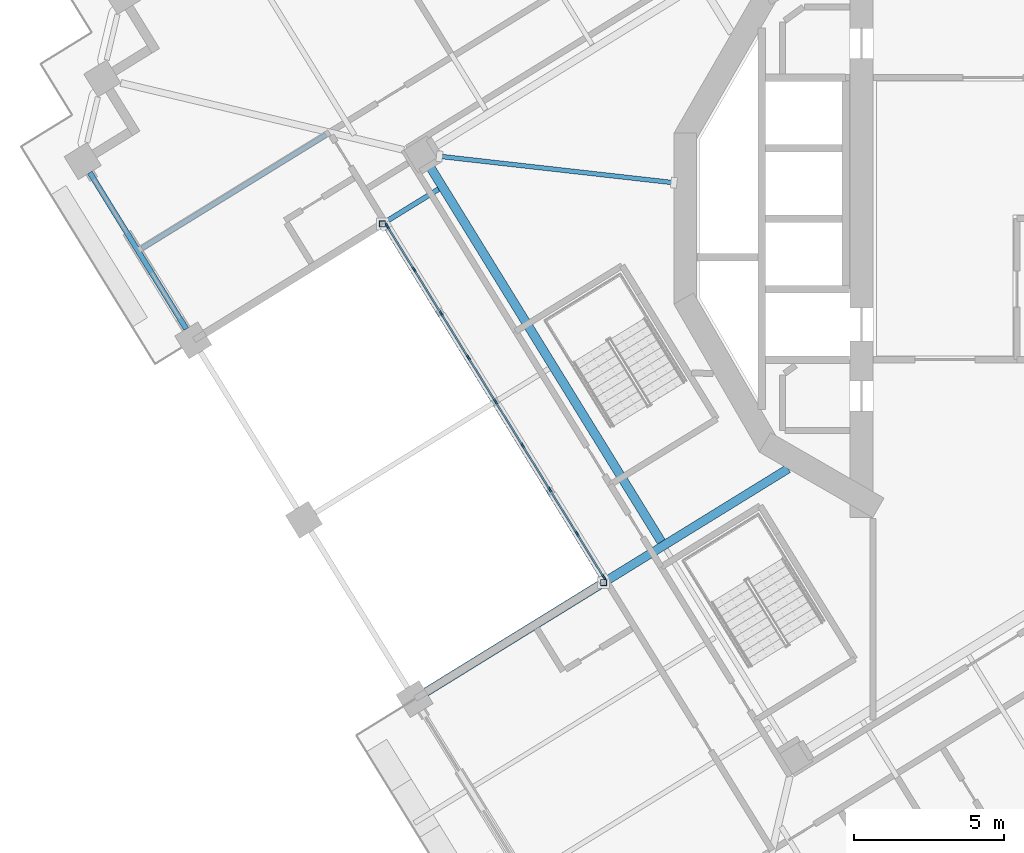
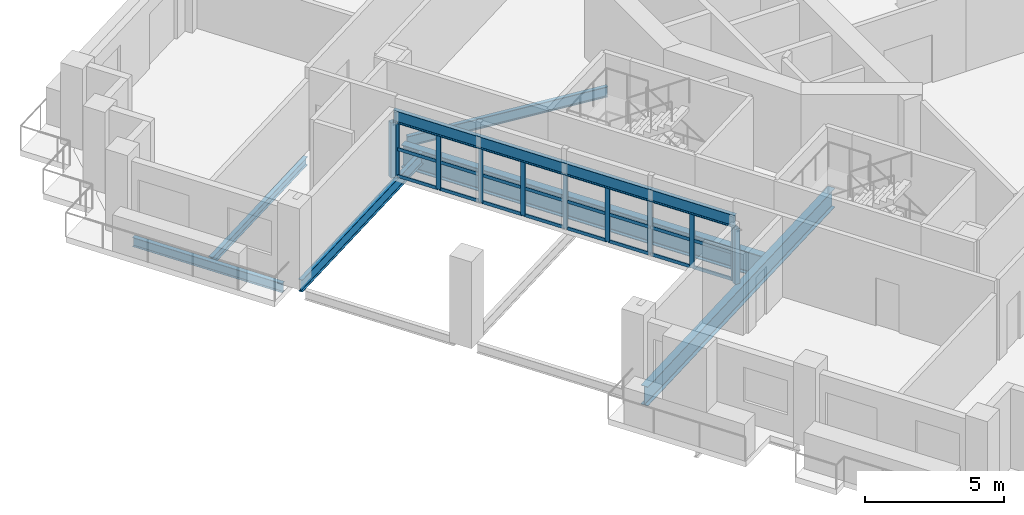
# One storey, part 2 of 20: 35 members, 7 beams, 1 element without a shape of its own.
"""IFC4 building model written with IfcOpenShell, lengths in metres."""

import ifcopenshell
import ifcopenshell.guid

model = None  # the IFC model being written
_history = None  # IfcOwnerHistory: only IFC2X3 demands one
_inside = {}  # id of a spatial element -> (the spatial element, [elements in it])
_under = {}  # id of a project, library or spatial element -> (it, [spatial elements below it])
_declared = {}  # id of a project -> (the project, [libraries it declares])
_typed = {}  # id of a type object -> (the type object, [elements of that type])
_made_of = {}  # id of a material, layer set ... -> (it, [elements and type objects made of it])


def new_model(schema):
    """Start an empty IFC model of exactly this schema.

    Asked for "IFC4X3", IfcOpenShell would pick the latest addendum, in which some entities
    have other attributes; the version numbers below select the first issue.
    IFC2X3 requires an IfcOwnerHistory on every rooted entity: one is made here for all.
    """
    global model, _history
    if schema == "IFC4X3":
        model = ifcopenshell.file(schema_version=(4, 3, 0, 0))
    else:
        model = ifcopenshell.file(schema=schema)
    _inside.clear()
    _under.clear()
    _declared.clear()
    _typed.clear()
    _made_of.clear()
    _history = None
    if model.schema == "IFC2X3":
        org = make("IfcOrganization", Name="unknown")
        user = make(
            "IfcPersonAndOrganization",
            ThePerson=make("IfcPerson", FamilyName="unknown"),
            TheOrganization=org,
        )
        app = make(
            "IfcApplication",
            ApplicationDeveloper=org,
            Version="unknown",
            ApplicationFullName="unknown",
            ApplicationIdentifier="unknown",
        )
        _history = make(
            "IfcOwnerHistory",
            OwningUser=user,
            OwningApplication=app,
            ChangeAction="ADDED",
            CreationDate=0,
        )
    return model


def make(cls, **values):
    """One entity of the class cls with the attributes given. An attribute that is None is left unset."""
    return model.create_entity(
        cls, **{name: value for name, value in values.items() if value is not None}
    )


def rooted(cls, **values):
    """An entity with a GlobalId (a new one), such as an element, a storey or a relation."""
    return make(cls, GlobalId=ifcopenshell.guid.new(), OwnerHistory=_history, **values)


def si_unit(unit_type, name, prefix=None):
    """IfcSIUnit, for example si_unit("LENGTHUNIT", "METRE", prefix="MILLI")."""
    return make("IfcSIUnit", UnitType=unit_type, Prefix=prefix, Name=name)


def assignment(units):
    """IfcUnitAssignment: the units of a project."""
    return None if units is None else make("IfcUnitAssignment", Units=units)


def point(xyz):
    """IfcCartesianPoint."""
    return None if xyz is None else make("IfcCartesianPoint", Coordinates=xyz)


def direction(xyz):
    """IfcDirection."""
    return None if xyz is None else make("IfcDirection", DirectionRatios=xyz)


def frame(location, z_axis=None, x_axis=None):
    """IfcAxis2Placement3D, a coordinate frame: its origin and axes. An axis left out is left unset."""
    return make(
        "IfcAxis2Placement3D",
        Location=point(location),
        Axis=direction(z_axis),
        RefDirection=direction(x_axis),
    )


def frame_2d(location, x_axis=None):
    """IfcAxis2Placement2D, a coordinate frame in the plane: its origin and x axis."""
    return make(
        "IfcAxis2Placement2D", Location=point(location), RefDirection=direction(x_axis)
    )


def origin():
    """The frame at (0, 0, 0) with its axes left unset."""
    return frame((0.0, 0.0, 0.0))


def origin_2d():
    """The frame at (0, 0) in the plane with its x axis left unset."""
    return frame_2d((0.0, 0.0))


def place(relative_to, where):
    """IfcLocalPlacement: puts the frame where relative to a parent placement (None: the world)."""
    return make(
        "IfcLocalPlacement", PlacementRelTo=relative_to, RelativePlacement=where
    )


def context(
    kind, dimensions, precision=None, world=None, true_north=None, identifier=None
):
    """IfcGeometricRepresentationContext, for example the 3D "Model" context."""
    return make(
        "IfcGeometricRepresentationContext",
        ContextIdentifier=identifier,
        ContextType=kind,
        CoordinateSpaceDimension=dimensions,
        Precision=precision,
        WorldCoordinateSystem=world,
        TrueNorth=true_north,
    )


def subcontext(parent, identifier, kind, view, scale=None):
    """IfcGeometricRepresentationSubContext, for example "Body" below "Model"."""
    return make(
        "IfcGeometricRepresentationSubContext",
        ContextIdentifier=identifier,
        ContextType=kind,
        ParentContext=parent,
        TargetScale=scale,
        TargetView=view,
    )


def project(units=None, contexts=None):
    """IfcProject with its units and contexts."""
    return rooted(
        "IfcProject",
        Name="project",
        RepresentationContexts=contexts,
        UnitsInContext=assignment(units),
    )


def spatial(cls, under=None, at=None, **own):
    """A site, building, storey or space (cls), placed at a placement, below another one or the project."""
    s = rooted(cls, ObjectPlacement=at, **own)
    if under is not None:
        _under.setdefault(under.id(), (under, []))[1].append(s)
    return s


def profile(cls, at=None, kind="AREA", **sizes):
    """A parametric profile (cls). Its sizes go by their IFC names, for example OverallWidth=200.0."""
    return make(cls, ProfileType=kind, Position=at, **sizes)


def rectangle(**sizes):
    """IfcRectangleProfileDef."""
    return profile("IfcRectangleProfileDef", **sizes)


def hollow_rectangle(**sizes):
    """IfcRectangleHollowProfileDef."""
    return profile("IfcRectangleHollowProfileDef", **sizes)


def i_section(**sizes):
    """IfcIShapeProfileDef."""
    return profile("IfcIShapeProfileDef", **sizes)


def extrude(swept, where, along, depth):
    """IfcExtrudedAreaSolid: the profile swept, set in the frame where, extruded along a direction by depth."""
    return make(
        "IfcExtrudedAreaSolid",
        SweptArea=swept,
        Position=where,
        ExtrudedDirection=direction(along),
        Depth=depth,
    )


def shape(context_of_items, identifier, shape_type, items):
    """IfcShapeRepresentation: the items that make up one representation, for example the "Body"."""
    return make(
        "IfcShapeRepresentation",
        ContextOfItems=context_of_items,
        RepresentationIdentifier=identifier,
        RepresentationType=shape_type,
        Items=items,
    )


def material(Name=None, Category=None):
    """IfcMaterial."""
    return make("IfcMaterial", Name=Name, Category=Category)


def material_profile(
    of_material, cross_section, Name=None, Category=None, Priority=None
):
    """IfcMaterialProfile: a cross section and its material."""
    return make(
        "IfcMaterialProfile",
        Name=Name,
        Material=of_material,
        Profile=cross_section,
        Priority=Priority,
        Category=Category,
    )


def profile_set(profiles, Name=None, composite=None):
    """IfcMaterialProfileSet."""
    return make(
        "IfcMaterialProfileSet",
        Name=Name,
        MaterialProfiles=profiles,
        CompositeProfile=composite,
    )


def made_of(thing, what):
    """Note that an element or type object is made of a material, layer set ...; save() writes the relation."""
    if what is not None:
        _made_of.setdefault(what.id(), (what, []))[1].append(thing)
    return thing


def type_object(cls, material=None, **own):
    """A type object (cls), such as IfcWallType, which elements share."""
    return made_of(rooted(cls, **own), material)


def element(
    cls,
    number,
    at=None,
    inside=None,
    cuts=None,
    type_object=None,
    material=None,
    context=None,
    identifier="Body",
    shape_type=None,
    held_by="IfcProductDefinitionShape",
    body=None,
    shapes=None,
    **own,
):
    """One element of the class cls, such as IfcWall. Its Tag is "e" and its number.

    at: its placement. inside: the storey or other place that contains it. cuts: it is an
    opening in that element (IfcRelVoidsElement). A single representation is given by context,
    identifier, shape_type and body (its items); several are given by shapes. held_by: the class
    of the entity that holds the representations. save() writes the other relations.
    """
    e = rooted(cls, Tag="e%d" % number, ObjectPlacement=at, **own)
    if body is not None:
        shapes = [shape(context, identifier, shape_type, body)]
    if shapes is not None:
        e.Representation = make(held_by, Representations=shapes)
    if inside is not None:
        _inside.setdefault(inside.id(), (inside, []))[1].append(e)
    if cuts is not None:
        rooted(
            "IfcRelVoidsElement", RelatingBuildingElement=cuts, RelatedOpeningElement=e
        )
    if type_object is not None:
        _typed.setdefault(type_object.id(), (type_object, []))[1].append(e)
    return made_of(e, material)


def aggregate(whole, parts):
    """IfcRelAggregates: a whole, such as a stair, and the parts it consists of."""
    return rooted("IfcRelAggregates", RelatingObject=whole, RelatedObjects=parts)


def save(model, path):
    """Write the relations noted so far, then the file.

    IfcRelAggregates (storeys below a building ...), IfcRelContainedInSpatialStructure (elements
    in a storey), IfcRelDefinesByType, IfcRelAssociatesMaterial and IfcRelDeclares: one each for
    every whole, place, type object, material and project.
    """
    for whole, parts in _under.values():
        aggregate(whole, parts)
    for where, things in _inside.values():
        rooted(
            "IfcRelContainedInSpatialStructure",
            RelatedElements=things,
            RelatingStructure=where,
        )
    for kind, things in _typed.values():
        rooted("IfcRelDefinesByType", RelatedObjects=things, RelatingType=kind)
    for what, things in _made_of.values():
        rooted("IfcRelAssociatesMaterial", RelatedObjects=things, RelatingMaterial=what)
    for by, libraries in _declared.values():
        rooted("IfcRelDeclares", RelatingContext=by, RelatedDefinitions=libraries)
    model.write(path)


model = new_model("IFC4")

# Units and contexts
model_context = context("Model", 3, precision=1e-05, world=origin(), true_north=direction((0.0, 1.0)))
body_context = subcontext(model_context, "Body", "Model", "MODEL_VIEW")
ifc_project = project(units=[si_unit("LENGTHUNIT", "METRE"), si_unit("AREAUNIT", "SQUARE_METRE"), si_unit("VOLUMEUNIT", "CUBIC_METRE"), si_unit("PLANEANGLEUNIT", "RADIAN"), si_unit("MASSUNIT", "GRAM", prefix="KILO")], contexts=[model_context])

# Site, building, storey
site_placement = place(None, origin())
site = spatial("IfcSite", under=ifc_project, at=site_placement, CompositionType="ELEMENT")
building_placement = place(site_placement, origin())
building = spatial("IfcBuilding", under=site, at=building_placement, Name="Cantera Rosa Tower", CompositionType="ELEMENT")
storey_placement = place(building_placement, frame((0.0, 0.0, 155.199951171875)))
storey = spatial("IfcBuildingStorey", under=building, at=storey_placement, Name="L33", CompositionType="ELEMENT", Elevation=155.199951171875)

# Curtain wall, members
ifc_material_1 = material(Name="Aluminium frame with clear glass", Category="aluminium")
curtain_wall_type = type_object("IfcCurtainWallType", Name="CW1 TERRACE POCKET GLAZING", PredefinedType="NOTDEFINED", material=ifc_material_1)
curtain_wall_placement = place(storey_placement, origin())
curtain_wall = element("IfcCurtainWall", 1, at=curtain_wall_placement, inside=storey, type_object=curtain_wall_type, Name="CW1 CW1", PredefinedType="NOTDEFINED")
ifc_material_2 = material(Name="Anodised bronze aluminium", Category="aluminium")
ifc_material_profile_1 = material_profile(ifc_material_2, rectangle(XDim=0.06005859375, YDim=0.179931640625, at=origin_2d()), Name="CW-MULLION 60x180 POCKET")
ifc_profile_set_1 = profile_set([ifc_material_profile_1], Name="Anodised bronze aluminium")
member_type_1 = type_object("IfcMemberType", Name="CW-MULLION 60x180 POCKET", PredefinedType="MULLION", material=ifc_profile_set_1)
member_1_placement = place(storey_placement, frame((-20.1708984375, -0.251708984375, 0.0), z_axis=(0.0, 0.0, 1.0), x_axis=(0.851116672434, 0.52497658034, 0.0)))
member_1 = element("IfcMember", 2, at=member_1_placement, type_object=member_type_1, Name="CW1 mullion 1", PredefinedType="MULLION", context=body_context, shape_type="SweptSolid", body=[
    extrude(rectangle(XDim=0.06005859375, YDim=0.179931640625, at=origin_2d()), origin(), (0.0, 0.0, 1.0), 2.412109375),
])
member_2_placement = place(storey_placement, frame((-19.28173828125, -1.693359375, 0.0), z_axis=(0.0, 0.0, 1.0), x_axis=(0.851116672434, 0.52497658034, 0.0)))
member_2 = element("IfcMember", 3, at=member_2_placement, type_object=member_type_1, Name="CW1 mullion 2", PredefinedType="MULLION", context=body_context, shape_type="SweptSolid", body=[
    extrude(rectangle(XDim=0.06005859375, YDim=0.179931640625, at=origin_2d()), origin(), (0.0, 0.0, 1.0), 2.412109375),
])
member_3_placement = place(storey_placement, frame((-18.376953125, -3.160400390625, 0.0), z_axis=(0.0, 0.0, 1.0), x_axis=(0.851116672434, 0.52497658034, 0.0)))
member_3 = element("IfcMember", 4, at=member_3_placement, type_object=member_type_1, Name="CW1 mullion 3", PredefinedType="MULLION", context=body_context, shape_type="SweptSolid", body=[
    extrude(rectangle(XDim=0.06005859375, YDim=0.179931640625, at=origin_2d()), origin(), (0.0, 0.0, 1.0), 2.412109375),
])
member_4_placement = place(storey_placement, frame((-17.471923828125, -4.62744140625, 0.0), z_axis=(0.0, 0.0, 1.0), x_axis=(0.851116672434, 0.52497658034, 0.0)))
member_4 = element("IfcMember", 5, at=member_4_placement, type_object=member_type_1, Name="CW1 mullion 4", PredefinedType="MULLION", context=body_context, shape_type="SweptSolid", body=[
    extrude(rectangle(XDim=0.06005859375, YDim=0.179931640625, at=origin_2d()), origin(), (0.0, 0.0, 1.0), 2.412109375),
])
member_5_placement = place(storey_placement, frame((-16.56689453125, -6.0947265625, 0.0), z_axis=(0.0, 0.0, 1.0), x_axis=(0.851116672434, 0.52497658034, 0.0)))
member_5 = element("IfcMember", 6, at=member_5_placement, type_object=member_type_1, Name="CW1 mullion 5", PredefinedType="MULLION", context=body_context, shape_type="SweptSolid", body=[
    extrude(rectangle(XDim=0.06005859375, YDim=0.179931640625, at=origin_2d()), origin(), (0.0, 0.0, 1.0), 2.412109375),
])
member_6_placement = place(storey_placement, frame((-15.662109375, -7.561767578125, 0.0), z_axis=(0.0, 0.0, 1.0), x_axis=(0.851116672434, 0.52497658034, 0.0)))
member_6 = element("IfcMember", 7, at=member_6_placement, type_object=member_type_1, Name="CW1 mullion 6", PredefinedType="MULLION", context=body_context, shape_type="SweptSolid", body=[
    extrude(rectangle(XDim=0.06005859375, YDim=0.179931640625, at=origin_2d()), origin(), (0.0, 0.0, 1.0), 2.412109375),
])
member_7_placement = place(storey_placement, frame((-14.757080078125, -9.02880859375, 0.0), z_axis=(0.0, 0.0, 1.0), x_axis=(0.851116672434, 0.52497658034, 0.0)))
member_7 = element("IfcMember", 8, at=member_7_placement, type_object=member_type_1, Name="CW1 mullion 7", PredefinedType="MULLION", context=body_context, shape_type="SweptSolid", body=[
    extrude(rectangle(XDim=0.06005859375, YDim=0.179931640625, at=origin_2d()), origin(), (0.0, 0.0, 1.0), 2.412109375),
])
member_8_placement = place(storey_placement, frame((-13.852294921875, -10.49609375, 0.0), z_axis=(0.0, 0.0, 1.0), x_axis=(0.851116672434, 0.52497658034, 0.0)))
member_8 = element("IfcMember", 9, at=member_8_placement, type_object=member_type_1, Name="CW1 mullion 8", PredefinedType="MULLION", context=body_context, shape_type="SweptSolid", body=[
    extrude(rectangle(XDim=0.06005859375, YDim=0.179931640625, at=origin_2d()), origin(), (0.0, 0.0, 1.0), 2.412109375),
])
member_9_placement = place(storey_placement, frame((-12.963134765625, -11.9375, 0.0), z_axis=(0.0, 0.0, 1.0), x_axis=(0.851116672434, 0.52497658034, 0.0)))
member_9 = element("IfcMember", 10, at=member_9_placement, type_object=member_type_1, Name="CW1 mullion 9", PredefinedType="MULLION", context=body_context, shape_type="SweptSolid", body=[
    extrude(rectangle(XDim=0.06005859375, YDim=0.179931640625, at=origin_2d()), origin(), (0.0, 0.0, 1.0), 2.412109375),
])
ifc_material_3 = material(Name="Anodised bronze aluminium", Category="aluminium")
ifc_material_profile_2 = material_profile(ifc_material_3, rectangle(XDim=0.06005859375, YDim=0.139892578125, at=origin_2d()), Name="CW-TRANSOM 60x140 POCKET")
ifc_profile_set_2 = profile_set([ifc_material_profile_2], Name="Anodised bronze aluminium")
member_type_2 = type_object("IfcMemberType", Name="CW-TRANSOM 60x140 POCKET", PredefinedType="USERDEFINED", material=ifc_profile_set_2)
member_10_placement = place(storey_placement, frame((-20.1552734375, -0.27734375, 0.030029296875), z_axis=(0.525005993613, -0.851098529355, 0.0), x_axis=(0.851098529355, 0.525005993613, 0.0)))
member_10 = element("IfcMember", 11, at=member_10_placement, type_object=member_type_2, Name="CW1 transom 1.1", ObjectType="TRANSOM", PredefinedType="USERDEFINED", context=body_context, shape_type="SweptSolid", body=[
    extrude(rectangle(XDim=0.06005859375, YDim=0.139892578125, at=origin_2d()), origin(), (0.0, 0.0, 1.0), 1.633544921875),
])
member_11_placement = place(storey_placement, frame((-20.1552734375, -0.27734375, 1.2060546875), z_axis=(0.525005993613, -0.851098529355, 0.0), x_axis=(0.851098529355, 0.525005993613, 0.0)))
member_11 = element("IfcMember", 12, at=member_11_placement, type_object=member_type_2, Name="CW1 transom 1.2", ObjectType="TRANSOM", PredefinedType="USERDEFINED", context=body_context, shape_type="SweptSolid", body=[
    extrude(rectangle(XDim=0.06005859375, YDim=0.139892578125, at=origin_2d()), origin(), (0.0, 0.0, 1.0), 1.633544921875),
])
member_12_placement = place(storey_placement, frame((-20.1552734375, -0.27734375, 2.382080078125), z_axis=(0.525005993613, -0.851098529355, 0.0), x_axis=(0.851098529355, 0.525005993613, 0.0)))
member_12 = element("IfcMember", 13, at=member_12_placement, type_object=member_type_2, Name="CW1 transom 1.3", ObjectType="TRANSOM", PredefinedType="USERDEFINED", context=body_context, shape_type="SweptSolid", body=[
    extrude(rectangle(XDim=0.06005859375, YDim=0.139892578125, at=origin_2d()), origin(), (0.0, 0.0, 1.0), 1.633544921875),
])
member_13_placement = place(storey_placement, frame((-19.26611328125, -1.71875, 0.030029296875), z_axis=(0.524964880834, -0.851123888686, 0.0), x_axis=(0.851123888686, 0.524964880834, 0.0)))
member_13 = element("IfcMember", 14, at=member_13_placement, type_object=member_type_2, Name="CW1 transom 2.1", ObjectType="TRANSOM", PredefinedType="USERDEFINED", context=body_context, shape_type="SweptSolid", body=[
    extrude(rectangle(XDim=0.06005859375, YDim=0.139892578125, at=origin_2d()), origin(), (0.0, 0.0, 1.0), 1.6640625),
])
member_14_placement = place(storey_placement, frame((-19.26611328125, -1.71875, 1.2060546875), z_axis=(0.524964880834, -0.851123888686, 0.0), x_axis=(0.851123888686, 0.524964880834, 0.0)))
member_14 = element("IfcMember", 15, at=member_14_placement, type_object=member_type_2, Name="CW1 transom 2.2", ObjectType="TRANSOM", PredefinedType="USERDEFINED", context=body_context, shape_type="SweptSolid", body=[
    extrude(rectangle(XDim=0.06005859375, YDim=0.139892578125, at=origin_2d()), origin(), (0.0, 0.0, 1.0), 1.6640625),
])
member_15_placement = place(storey_placement, frame((-19.26611328125, -1.71875, 2.382080078125), z_axis=(0.524964880834, -0.851123888686, 0.0), x_axis=(0.851123888686, 0.524964880834, 0.0)))
member_15 = element("IfcMember", 16, at=member_15_placement, type_object=member_type_2, Name="CW1 transom 2.3", ObjectType="TRANSOM", PredefinedType="USERDEFINED", context=body_context, shape_type="SweptSolid", body=[
    extrude(rectangle(XDim=0.06005859375, YDim=0.139892578125, at=origin_2d()), origin(), (0.0, 0.0, 1.0), 1.6640625),
])
member_16_placement = place(storey_placement, frame((-18.361083984375, -3.18603515625, 0.030029296875), z_axis=(0.525030443539, -0.851083446765, 0.0), x_axis=(0.851083446765, 0.525030443539, 0.0)))
member_16 = element("IfcMember", 17, at=member_16_placement, type_object=member_type_2, Name="CW1 transom 3.1", ObjectType="TRANSOM", PredefinedType="USERDEFINED", context=body_context, shape_type="SweptSolid", body=[
    extrude(rectangle(XDim=0.06005859375, YDim=0.139892578125, at=origin_2d()), origin(), (0.0, 0.0, 1.0), 1.663818359375),
])
member_17_placement = place(storey_placement, frame((-18.361083984375, -3.18603515625, 1.2060546875), z_axis=(0.525030443539, -0.851083446765, 0.0), x_axis=(0.851083446765, 0.525030443539, 0.0)))
member_17 = element("IfcMember", 18, at=member_17_placement, type_object=member_type_2, Name="CW1 transom 3.2", ObjectType="TRANSOM", PredefinedType="USERDEFINED", context=body_context, shape_type="SweptSolid", body=[
    extrude(rectangle(XDim=0.06005859375, YDim=0.139892578125, at=origin_2d()), origin(), (0.0, 0.0, 1.0), 1.663818359375),
])
member_18_placement = place(storey_placement, frame((-18.361083984375, -3.18603515625, 2.382080078125), z_axis=(0.525030443539, -0.851083446765, 0.0), x_axis=(0.851083446765, 0.525030443539, 0.0)))
member_18 = element("IfcMember", 19, at=member_18_placement, type_object=member_type_2, Name="CW1 transom 3.3", ObjectType="TRANSOM", PredefinedType="USERDEFINED", context=body_context, shape_type="SweptSolid", body=[
    extrude(rectangle(XDim=0.06005859375, YDim=0.139892578125, at=origin_2d()), origin(), (0.0, 0.0, 1.0), 1.663818359375),
])
member_19_placement = place(storey_placement, frame((-17.4560546875, -4.653076171875, 0.030029296875), z_axis=(0.524924142227, -0.851149014514, 0.0), x_axis=(0.851149014514, 0.524924142227, 0.0)))
member_19 = element("IfcMember", 20, at=member_19_placement, type_object=member_type_2, Name="CW1 transom 4.1", ObjectType="TRANSOM", PredefinedType="USERDEFINED", context=body_context, shape_type="SweptSolid", body=[
    extrude(rectangle(XDim=0.06005859375, YDim=0.139892578125, at=origin_2d()), origin(), (0.0, 0.0, 1.0), 1.66357421875),
])
member_20_placement = place(storey_placement, frame((-17.4560546875, -4.653076171875, 1.2060546875), z_axis=(0.524924142227, -0.851149014514, 0.0), x_axis=(0.851149014514, 0.524924142227, 0.0)))
member_20 = element("IfcMember", 21, at=member_20_placement, type_object=member_type_2, Name="CW1 transom 4.2", ObjectType="TRANSOM", PredefinedType="USERDEFINED", context=body_context, shape_type="SweptSolid", body=[
    extrude(rectangle(XDim=0.06005859375, YDim=0.139892578125, at=origin_2d()), origin(), (0.0, 0.0, 1.0), 1.66357421875),
])
member_21_placement = place(storey_placement, frame((-17.4560546875, -4.653076171875, 2.382080078125), z_axis=(0.524924142227, -0.851149014514, 0.0), x_axis=(0.851149014514, 0.524924142227, 0.0)))
member_21 = element("IfcMember", 22, at=member_21_placement, type_object=member_type_2, Name="CW1 transom 4.3", ObjectType="TRANSOM", PredefinedType="USERDEFINED", context=body_context, shape_type="SweptSolid", body=[
    extrude(rectangle(XDim=0.06005859375, YDim=0.139892578125, at=origin_2d()), origin(), (0.0, 0.0, 1.0), 1.66357421875),
])
member_22_placement = place(storey_placement, frame((-16.55126953125, -6.1201171875, 0.030029296875), z_axis=(0.525030443539, -0.851083446765, 0.0), x_axis=(0.851083446765, 0.525030443539, 0.0)))
member_22 = element("IfcMember", 23, at=member_22_placement, type_object=member_type_2, Name="CW1 transom 5.1", ObjectType="TRANSOM", PredefinedType="USERDEFINED", context=body_context, shape_type="SweptSolid", body=[
    extrude(rectangle(XDim=0.06005859375, YDim=0.139892578125, at=origin_2d()), origin(), (0.0, 0.0, 1.0), 1.663818359375),
])
member_23_placement = place(storey_placement, frame((-16.55126953125, -6.1201171875, 1.2060546875), z_axis=(0.525030443539, -0.851083446765, 0.0), x_axis=(0.851083446765, 0.525030443539, 0.0)))
member_23 = element("IfcMember", 24, at=member_23_placement, type_object=member_type_2, Name="CW1 transom 5.2", ObjectType="TRANSOM", PredefinedType="USERDEFINED", context=body_context, shape_type="SweptSolid", body=[
    extrude(rectangle(XDim=0.06005859375, YDim=0.139892578125, at=origin_2d()), origin(), (0.0, 0.0, 1.0), 1.663818359375),
])
member_24_placement = place(storey_placement, frame((-16.55126953125, -6.1201171875, 2.382080078125), z_axis=(0.525030443539, -0.851083446765, 0.0), x_axis=(0.851083446765, 0.525030443539, 0.0)))
member_24 = element("IfcMember", 25, at=member_24_placement, type_object=member_type_2, Name="CW1 transom 5.3", ObjectType="TRANSOM", PredefinedType="USERDEFINED", context=body_context, shape_type="SweptSolid", body=[
    extrude(rectangle(XDim=0.06005859375, YDim=0.139892578125, at=origin_2d()), origin(), (0.0, 0.0, 1.0), 1.663818359375),
])
member_25_placement = place(storey_placement, frame((-15.646240234375, -7.58740234375, 0.030029296875), z_axis=(0.524924142227, -0.851149014514, 0.0), x_axis=(0.851149014514, 0.524924142227, 0.0)))
member_25 = element("IfcMember", 26, at=member_25_placement, type_object=member_type_2, Name="CW1 transom 6.1", ObjectType="TRANSOM", PredefinedType="USERDEFINED", context=body_context, shape_type="SweptSolid", body=[
    extrude(rectangle(XDim=0.06005859375, YDim=0.139892578125, at=origin_2d()), origin(), (0.0, 0.0, 1.0), 1.66357421875),
])
member_26_placement = place(storey_placement, frame((-15.646240234375, -7.58740234375, 1.2060546875), z_axis=(0.524924142227, -0.851149014514, 0.0), x_axis=(0.851149014514, 0.524924142227, 0.0)))
member_26 = element("IfcMember", 27, at=member_26_placement, type_object=member_type_2, Name="CW1 transom 6.2", ObjectType="TRANSOM", PredefinedType="USERDEFINED", context=body_context, shape_type="SweptSolid", body=[
    extrude(rectangle(XDim=0.06005859375, YDim=0.139892578125, at=origin_2d()), origin(), (0.0, 0.0, 1.0), 1.66357421875),
])
member_27_placement = place(storey_placement, frame((-15.646240234375, -7.58740234375, 2.382080078125), z_axis=(0.524924142227, -0.851149014514, 0.0), x_axis=(0.851149014514, 0.524924142227, 0.0)))
member_27 = element("IfcMember", 28, at=member_27_placement, type_object=member_type_2, Name="CW1 transom 6.3", ObjectType="TRANSOM", PredefinedType="USERDEFINED", context=body_context, shape_type="SweptSolid", body=[
    extrude(rectangle(XDim=0.06005859375, YDim=0.139892578125, at=origin_2d()), origin(), (0.0, 0.0, 1.0), 1.66357421875),
])
member_28_placement = place(storey_placement, frame((-14.741455078125, -9.054443359375, 0.030029296875), z_axis=(0.525030443539, -0.851083446765, 0.0), x_axis=(0.851083446765, 0.525030443539, 0.0)))
member_28 = element("IfcMember", 29, at=member_28_placement, type_object=member_type_2, Name="CW1 transom 7.1", ObjectType="TRANSOM", PredefinedType="USERDEFINED", context=body_context, shape_type="SweptSolid", body=[
    extrude(rectangle(XDim=0.06005859375, YDim=0.139892578125, at=origin_2d()), origin(), (0.0, 0.0, 1.0), 1.663818359375),
])
member_29_placement = place(storey_placement, frame((-14.741455078125, -9.054443359375, 1.2060546875), z_axis=(0.525030443539, -0.851083446765, 0.0), x_axis=(0.851083446765, 0.525030443539, 0.0)))
member_29 = element("IfcMember", 30, at=member_29_placement, type_object=member_type_2, Name="CW1 transom 7.2", ObjectType="TRANSOM", PredefinedType="USERDEFINED", context=body_context, shape_type="SweptSolid", body=[
    extrude(rectangle(XDim=0.06005859375, YDim=0.139892578125, at=origin_2d()), origin(), (0.0, 0.0, 1.0), 1.663818359375),
])
member_30_placement = place(storey_placement, frame((-14.741455078125, -9.054443359375, 2.382080078125), z_axis=(0.525030443539, -0.851083446765, 0.0), x_axis=(0.851083446765, 0.525030443539, 0.0)))
member_30 = element("IfcMember", 31, at=member_30_placement, type_object=member_type_2, Name="CW1 transom 7.3", ObjectType="TRANSOM", PredefinedType="USERDEFINED", context=body_context, shape_type="SweptSolid", body=[
    extrude(rectangle(XDim=0.06005859375, YDim=0.139892578125, at=origin_2d()), origin(), (0.0, 0.0, 1.0), 1.663818359375),
])
member_31_placement = place(storey_placement, frame((-13.83642578125, -10.521484375, 0.030029296875), z_axis=(0.524939222981, -0.851139713664, 0.0), x_axis=(0.851139713664, 0.524939222981, 0.0)))
member_31 = element("IfcMember", 32, at=member_31_placement, type_object=member_type_2, Name="CW1 transom 8.1", ObjectType="TRANSOM", PredefinedType="USERDEFINED", context=body_context, shape_type="SweptSolid", body=[
    extrude(rectangle(XDim=0.06005859375, YDim=0.139892578125, at=origin_2d()), origin(), (0.0, 0.0, 1.0), 1.6337890625),
])
member_32_placement = place(storey_placement, frame((-13.83642578125, -10.521484375, 1.2060546875), z_axis=(0.524939222981, -0.851139713664, 0.0), x_axis=(0.851139713664, 0.524939222981, 0.0)))
member_32 = element("IfcMember", 33, at=member_32_placement, type_object=member_type_2, Name="CW1 transom 8.2", ObjectType="TRANSOM", PredefinedType="USERDEFINED", context=body_context, shape_type="SweptSolid", body=[
    extrude(rectangle(XDim=0.06005859375, YDim=0.139892578125, at=origin_2d()), origin(), (0.0, 0.0, 1.0), 1.6337890625),
])
member_33_placement = place(storey_placement, frame((-13.83642578125, -10.521484375, 2.382080078125), z_axis=(0.524939222981, -0.851139713664, 0.0), x_axis=(0.851139713664, 0.524939222981, 0.0)))
member_33 = element("IfcMember", 34, at=member_33_placement, type_object=member_type_2, Name="CW1 transom 8.3", ObjectType="TRANSOM", PredefinedType="USERDEFINED", context=body_context, shape_type="SweptSolid", body=[
    extrude(rectangle(XDim=0.06005859375, YDim=0.139892578125, at=origin_2d()), origin(), (0.0, 0.0, 1.0), 1.6337890625),
])
aggregate(curtain_wall, [member_1, member_2, member_3, member_4, member_5, member_6, member_7, member_8, member_9, member_10, member_11, member_12, member_13, member_14, member_15, member_16, member_17, member_18, member_19, member_20, member_21, member_22, member_23, member_24, member_25, member_26, member_27, member_28, member_29, member_30, member_31, member_32, member_33])

# Members
ifc_material_4 = material(Name="Steel ASTM A992 (Fy 345 MPa)", Category="steel")
ifc_material_profile_3 = material_profile(ifc_material_4, hollow_rectangle(XDim=0.199951171875, YDim=0.199951171875, WallThickness=0.010009765625, at=origin_2d()), Name="LINTEL POST RHS 200x200x10")
ifc_profile_set_3 = profile_set([ifc_material_profile_3], Name="Steel ASTM A992 (Fy 345 MPa)")
member_type_3 = type_object("IfcMemberType", Name="LINTEL POST RHS 200x200x10", PredefinedType="USERDEFINED", material=ifc_profile_set_3)
for number, where, z_axis, x_axis, name in (
    (35, (-20.33740234375, -0.17236328125, 0.0), (0.0, 0.0, 1.0), (1.0, 0.0, 0.0), "LINTEL POST L33-1"),
    (36, (-12.966796875, -12.1220703125, 0.0), (0.0, 0.0, 1.0), (1.0, 0.0, 0.0), "LINTEL POST L33-2"),
):
    element("IfcMember", number, at=place(storey_placement, frame(where, z_axis=z_axis, x_axis=x_axis)), inside=storey, type_object=member_type_3, Name=name, ObjectType="LINTEL POST", PredefinedType="USERDEFINED", context=body_context, shape_type="SweptSolid", body=[
        extrude(hollow_rectangle(XDim=0.199951171875, YDim=0.199951171875, WallThickness=0.010009765625, at=origin_2d()), origin(), (0.0, 0.0, 1.0), 2.4140625),
    ])

# Beams
ifc_material_5 = material(Name="Steel ASTM A992 (Fy 345 MPa)", Category="steel")
ifc_material_profile_4 = material_profile(ifc_material_5, i_section(OverallWidth=0.300048828125, OverallDepth=0.990966796875, WebThickness=0.0166015625, FlangeThickness=0.030517578125, FilletRadius=0.030029296875, at=origin_2d()), Name="W1000X272")
ifc_profile_set_4 = profile_set([ifc_material_profile_4], Name="Steel ASTM A992 (Fy 345 MPa)")
beam_type_1 = type_object("IfcBeamType", Name="STEEL BEAM W1000X272", PredefinedType="BEAM", material=ifc_profile_set_4)
beam_1_placement = place(storey_placement, frame((-11.04541015625, -10.7607421875, -0.745361328125), z_axis=(-0.524974072618, 0.851118219215, 0.0), x_axis=(-0.851118219215, -0.524974072618, 0.0)))
element("IfcBeam", 37, at=beam_1_placement, inside=storey, type_object=beam_type_1, Name="RB-Z3-08 L33", PredefinedType="BEAM", context=body_context, shape_type="SweptSolid", body=[
    extrude(i_section(OverallWidth=0.300048828125, OverallDepth=0.990966796875, WebThickness=0.0166015625, FlangeThickness=0.030517578125, FilletRadius=0.030029296875, at=origin_2d()), origin(), (0.0, 0.0, 1.0), 14.7099609375),
])
ifc_material_6 = material(Name="Steel ASTM A992 (Fy 345 MPa)", Category="steel")
ifc_material_profile_5 = material_profile(ifc_material_6, i_section(OverallWidth=0.154052734375, OverallDepth=0.4599609375, WebThickness=0.009033203125, FlangeThickness=0.015380859375, FilletRadius=0.01025390625, at=origin_2d()), Name="W460X68")
ifc_profile_set_5 = profile_set([ifc_material_profile_5], Name="Steel ASTM A992 (Fy 345 MPa)")
beam_type_2 = type_object("IfcBeamType", Name="STEEL BEAM W460X68", PredefinedType="BEAM", material=ifc_profile_set_5)
beam_2_placement = place(storey_placement, frame((-18.435791015625, 2.078125, -0.47998046875), z_axis=(0.993707483767, -0.11200641368, 0.0), x_axis=(0.11200641368, 0.993707483767, 0.0)))
element("IfcBeam", 38, at=beam_2_placement, inside=storey, type_object=beam_type_2, Name="PG-Z3-01 L33", PredefinedType="BEAM", context=body_context, shape_type="SweptSolid", body=[
    extrude(i_section(OverallWidth=0.154052734375, OverallDepth=0.4599609375, WebThickness=0.009033203125, FlangeThickness=0.015380859375, FilletRadius=0.01025390625, at=origin_2d()), origin(), (0.0, 0.0, 1.0), 7.860107421875),
])
ifc_material_7 = material(Name="Steel ASTM A992 (Fy 345 MPa)", Category="steel")
ifc_material_profile_6 = material_profile(ifc_material_7, i_section(OverallWidth=0.166015625, OverallDepth=0.528076171875, WebThickness=0.009765625, FlangeThickness=0.013671875, FilletRadius=0.0126953125, at=origin_2d()), Name="W530X74")
ifc_profile_set_6 = profile_set([ifc_material_profile_6], Name="Steel ASTM A992 (Fy 345 MPa)")
beam_type_3 = type_object("IfcBeamType", Name="STEEL BEAM W530X74", PredefinedType="BEAM", material=ifc_profile_set_6)
beam_3_placement = place(storey_placement, frame((-26.252685546875, -3.82080078125, -0.513916015625), z_axis=(0.851116426313, 0.524976979362, 0.0), x_axis=(-0.524976979362, 0.851116426313, 0.0)))
element("IfcBeam", 39, at=beam_3_placement, inside=storey, type_object=beam_type_3, Name="G-Z3-13 L33", PredefinedType="BEAM", context=body_context, shape_type="SweptSolid", body=[
    extrude(i_section(OverallWidth=0.166015625, OverallDepth=0.528076171875, WebThickness=0.009765625, FlangeThickness=0.013671875, FilletRadius=0.0126953125, at=origin_2d()), origin(), (0.0, 0.0, 1.0), 9.14990234375),
])
beam_4_placement = place(storey_placement, frame((-20.2685546875, -0.188720703125, 2.677978515625), z_axis=(0.524975617117, -0.851117266557, 0.0), x_axis=(0.851117266557, 0.524975617117, 0.0)))
element("IfcBeam", 40, at=beam_4_placement, inside=storey, type_object=beam_type_3, Name="LINTEL SL-L33", PredefinedType="BEAM", context=body_context, shape_type="SweptSolid", body=[
    extrude(i_section(OverallWidth=0.166015625, OverallDepth=0.528076171875, WebThickness=0.009765625, FlangeThickness=0.013671875, FilletRadius=0.0126953125, at=origin_2d()), origin(), (0.0, 0.0, 1.0), 13.93994140625),
])
ifc_material_8 = material(Name="Steel ASTM A992 (Fy 345 MPa)", Category="steel")
ifc_material_profile_7 = material_profile(ifc_material_8, i_section(OverallWidth=0.2919921875, OverallDepth=0.8359375, WebThickness=0.013916015625, FlangeThickness=0.018798828125, FilletRadius=0.017822265625, at=origin_2d()), Name="W840X176")
ifc_profile_set_7 = profile_set([ifc_material_profile_7], Name="Steel ASTM A992 (Fy 345 MPa)")
beam_type_4 = type_object("IfcBeamType", Name="STEEL BEAM W840X176", PredefinedType="BEAM", material=ifc_profile_set_7)
beam_5_placement = place(storey_placement, frame((-18.882080078125, -15.7705078125, -0.66796875), z_axis=(0.8511231456, 0.524966085595, 0.0), x_axis=(-0.524966085595, 0.8511231456, 0.0)))
element("IfcBeam", 41, at=beam_5_placement, inside=storey, type_object=beam_type_4, Name="G-Z3-15 L33", PredefinedType="BEAM", context=body_context, shape_type="SweptSolid", body=[
    extrude(i_section(OverallWidth=0.2919921875, OverallDepth=0.8359375, WebThickness=0.013916015625, FlangeThickness=0.018798828125, FilletRadius=0.017822265625, at=origin_2d()), origin(), (0.0, 0.0, 1.0), 14.17138671875),
])
ifc_material_9 = material(Name="Steel ASTM A992 (Fy 345 MPa)", Category="steel")
ifc_material_profile_8 = material_profile(ifc_material_9, i_section(OverallWidth=0.1708984375, OverallDepth=0.35595703125, WebThickness=0.00732421875, FlangeThickness=0.01171875, FilletRadius=0.010009765625, at=origin_2d()), Name="W360X51")
ifc_profile_set_8 = profile_set([ifc_material_profile_8], Name="Steel ASTM A992 (Fy 345 MPa)")
beam_type_5 = type_object("IfcBeamType", Name="STEEL JOIST W360X51", PredefinedType="JOIST", material=ifc_profile_set_8)
beam_6_placement = place(storey_placement, frame((-28.3505859375, -0.990966796875, -0.427978515625), z_axis=(0.851109089911, 0.524988873283, 0.0), x_axis=(-0.524988873283, 0.851109089911, 0.0)))
element("IfcBeam", 42, at=beam_6_placement, inside=storey, type_object=beam_type_5, Name="B-Z3-16 L33", PredefinedType="JOIST", context=body_context, shape_type="SweptSolid", body=[
    extrude(i_section(OverallWidth=0.1708984375, OverallDepth=0.35595703125, WebThickness=0.00732421875, FlangeThickness=0.01171875, FilletRadius=0.010009765625, at=origin_2d()), origin(), (0.0, 0.0, 1.0), 7.2099609375),
])
ifc_material_10 = material(Name="Steel ASTM A992 (Fy 345 MPa)", Category="steel")
ifc_material_profile_9 = material_profile(ifc_material_10, i_section(OverallWidth=0.177978515625, OverallDepth=0.406005859375, WebThickness=0.0078125, FlangeThickness=0.0126953125, FilletRadius=0.01025390625, at=origin_2d()), Name="W410X60")
ifc_profile_set_9 = profile_set([ifc_material_profile_9], Name="Steel ASTM A992 (Fy 345 MPa)")
beam_type_6 = type_object("IfcBeamType", Name="STEEL SPANDREL BEAM W410X60", PredefinedType="SPANDREL", material=ifc_profile_set_9)
beam_7_placement = place(storey_placement, frame((-30.084716796875, 1.53466796875, -0.452880859375), z_axis=(0.524987447654, -0.851109969279, 0.0), x_axis=(0.851109969279, 0.524987447654, 0.0)))
element("IfcBeam", 43, at=beam_7_placement, inside=storey, type_object=beam_type_6, Name="EB-Z3-15 L33", PredefinedType="SPANDREL", context=body_context, shape_type="SweptSolid", body=[
    extrude(i_section(OverallWidth=0.177978515625, OverallDepth=0.406005859375, WebThickness=0.0078125, FlangeThickness=0.0126953125, FilletRadius=0.01025390625, at=origin_2d()), origin(), (0.0, 0.0, 1.0), 6.119873046875),
])

save(model, "model.ifc")
